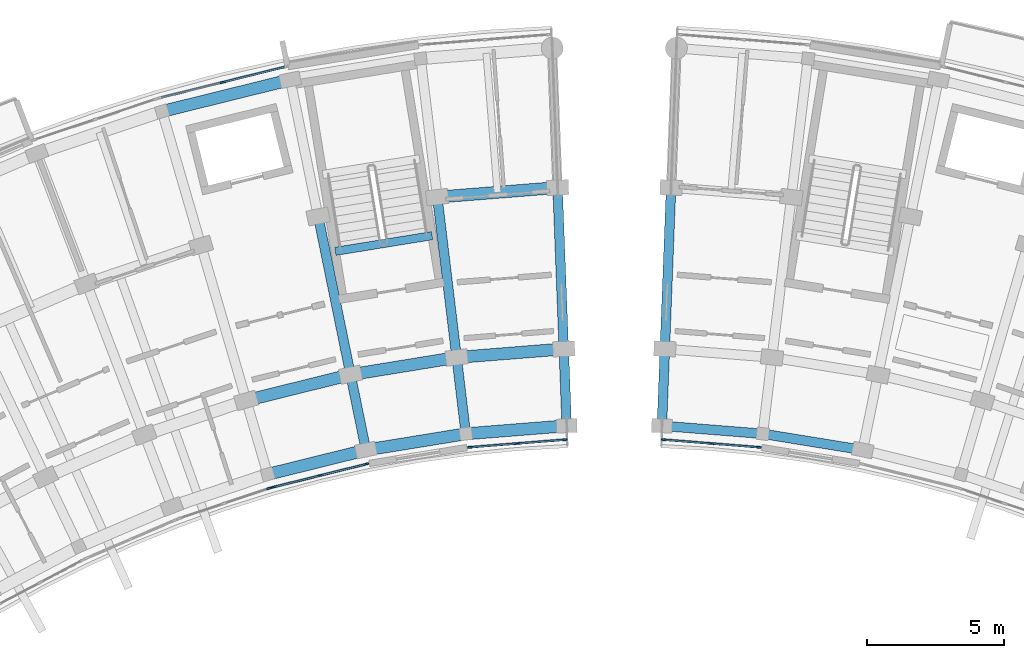
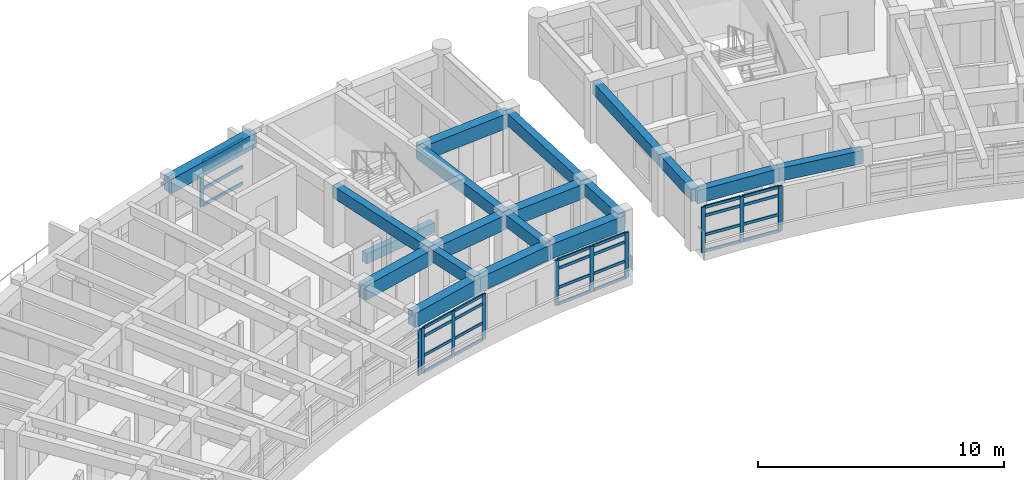
# One storey, part 6 of 54: 40 members, 19 beams, 5 elements without a shape of their own.
"""IFC4 building model written with IfcOpenShell, lengths in metres."""

from ifc_helpers import new_model, si_unit, direction, frame, origin, origin_2d, place, context, subcontext, project, spatial, rectangle, extrude, material, material_profile, profile_set, type_object, element, aggregate, save


model = new_model("IFC4")

# Units and contexts
model_context = context("Model", 3, precision=1e-05, world=origin(), true_north=direction((0.0, 1.0)))
body_context = subcontext(model_context, "Body", "Model", "MODEL_VIEW")
ifc_project = project(units=[si_unit("LENGTHUNIT", "METRE"), si_unit("AREAUNIT", "SQUARE_METRE"), si_unit("VOLUMEUNIT", "CUBIC_METRE"), si_unit("PLANEANGLEUNIT", "RADIAN"), si_unit("MASSUNIT", "GRAM", prefix="KILO")], contexts=[model_context])

# Site, building, storey
site_placement = place(None, origin())
site = spatial("IfcSite", under=ifc_project, at=site_placement, CompositionType="ELEMENT")
building_placement = place(site_placement, origin())
building = spatial("IfcBuilding", under=site, at=building_placement, Name="Zimvara Arc Housing Community", CompositionType="ELEMENT")
storey_placement = place(building_placement, frame((0.0, 0.0, 20.5)))
storey = spatial("IfcBuildingStorey", under=building, at=storey_placement, Name="L06", CompositionType="ELEMENT", Elevation=20.5)

# Beams
ifc_material_1 = material(Name="Concrete C40/50", Category="concrete")
ifc_material_profile_1 = material_profile(ifc_material_1, rectangle(XDim=0.300048828125, YDim=0.5, at=origin_2d()), Name="RC 300x500")
ifc_profile_set_1 = profile_set([ifc_material_profile_1], Name="Concrete C40/50")
beam_type_1 = type_object("IfcBeamType", Name="BM-RC-300x500", PredefinedType="BEAM", material=ifc_profile_set_1)
beam_1_placement = place(storey_placement, frame((38.3662109375, 96.509033203125, -0.25), z_axis=(-0.987080057935, -0.160227835371, 0.0), x_axis=(0.160227835371, -0.987080057935, 0.0)))
element("IfcBeam", 1, at=beam_1_placement, inside=storey, type_object=beam_type_1, Name="bm:stair_trim:ST-A2:L06:near", PredefinedType="BEAM", context=body_context, shape_type="SweptSolid", body=[
    extrude(rectangle(XDim=0.300048828125, YDim=0.5, at=origin_2d()), origin(), (0.0, 0.0, 1.0), 3.570068359375),
])
ifc_material_2 = material(Name="Concrete C40/50", Category="concrete")
ifc_material_profile_2 = material_profile(ifc_material_2, rectangle(XDim=0.35009765625, YDim=0.60009765625, at=origin_2d()), Name="RC 350x600")
ifc_profile_set_2 = profile_set([ifc_material_profile_2], Name="Concrete C40/50")
beam_type_2 = type_object("IfcBeamType", Name="BM-RC-350x600", PredefinedType="BEAM", material=ifc_profile_set_2)
beam_2_placement = place(storey_placement, frame((35.958251953125, 88.704833984375, 2.56005859375), z_axis=(-0.20037341071, 0.979719600845, 0.0), x_axis=(-0.979719600845, -0.20037341071, 0.0)))
element("IfcBeam", 2, at=beam_2_placement, inside=storey, type_object=beam_type_2, Name="bm:blkA:L06:rad:b8:r01", PredefinedType="BEAM", context=body_context, shape_type="SweptSolid", body=[
    extrude(rectangle(XDim=0.35009765625, YDim=0.60009765625, at=origin_2d()), origin(), (0.0, 0.0, 1.0), 2.800048828125),
])
beam_3_placement = place(storey_placement, frame((35.397216796875, 91.447998046875, 2.56005859375), z_axis=(-0.200417973989, 0.979710485655, 0.0), x_axis=(-0.979710485655, -0.200417973989, 0.0)))
element("IfcBeam", 3, at=beam_3_placement, inside=storey, type_object=beam_type_2, Name="bm:blkA:L06:rad:b8:r12", PredefinedType="BEAM", context=body_context, shape_type="SweptSolid", body=[
    extrude(rectangle(XDim=0.35009765625, YDim=0.60009765625, at=origin_2d()), origin(), (0.0, 0.0, 1.0), 5.880126953125),
])
beam_4_placement = place(storey_placement, frame((39.594970703125, 89.295166015625, 2.56005859375), z_axis=(-0.119719398078, 0.992807768767, 0.0), x_axis=(-0.992807768767, -0.119719398078, 0.0)))
element("IfcBeam", 4, at=beam_4_placement, inside=storey, type_object=beam_type_2, Name="bm:blkA:L06:rad:b9:r01", PredefinedType="BEAM", context=body_context, shape_type="SweptSolid", body=[
    extrude(rectangle(XDim=0.35009765625, YDim=0.60009765625, at=origin_2d()), origin(), (0.0, 0.0, 1.0), 2.7998046875),
])
beam_5_placement = place(storey_placement, frame((39.259765625, 92.074951171875, 2.56005859375), z_axis=(-0.119827921695, 0.992794676246, 0.0), x_axis=(-0.992794676246, -0.119827921695, 0.0)))
element("IfcBeam", 5, at=beam_5_placement, inside=storey, type_object=beam_type_2, Name="bm:blkA:L06:rad:b9:r12", PredefinedType="BEAM", context=body_context, shape_type="SweptSolid", body=[
    extrude(rectangle(XDim=0.35009765625, YDim=0.60009765625, at=origin_2d()), origin(), (0.0, 0.0, 1.0), 5.880126953125),
])
beam_6_placement = place(storey_placement, frame((43.267822265625, 89.586669921875, 2.56005859375), z_axis=(-0.038362804793, 0.999263876665, 0.0), x_axis=(-0.999263876665, -0.038362804793, 0.0)))
element("IfcBeam", 6, at=beam_6_placement, inside=storey, type_object=beam_type_2, Name="bm:blkA:L06:rad:b10:r01", PredefinedType="BEAM", context=body_context, shape_type="SweptSolid", body=[
    extrude(rectangle(XDim=0.35009765625, YDim=0.60009765625, at=origin_2d()), origin(), (0.0, 0.0, 1.0), 2.800048828125),
])
beam_7_placement = place(storey_placement, frame((43.160400390625, 92.384765625, 2.56005859375), z_axis=(-0.038366147405, 0.999263748333, 0.0), x_axis=(-0.999263748333, -0.038366147405, 0.0)))
element("IfcBeam", 7, at=beam_7_placement, inside=storey, type_object=beam_type_2, Name="bm:blkA:L06:rad:b10:r12", PredefinedType="BEAM", context=body_context, shape_type="SweptSolid", body=[
    extrude(rectangle(XDim=0.35009765625, YDim=0.60009765625, at=origin_2d()), origin(), (0.0, 0.0, 1.0), 5.8798828125),
])
beam_8_placement = place(storey_placement, frame((46.732177734375, 89.586669921875, 2.56005859375), z_axis=(0.038362804793, 0.999263876665, 0.0), x_axis=(-0.999263876665, 0.038362804793, 0.0)))
element("IfcBeam", 8, at=beam_8_placement, inside=storey, type_object=beam_type_2, Name="bm:blkB:L06:rad:b0:r01", PredefinedType="BEAM", context=body_context, shape_type="SweptSolid", body=[
    extrude(rectangle(XDim=0.35009765625, YDim=0.60009765625, at=origin_2d()), origin(), (0.0, 0.0, 1.0), 2.800048828125),
])
beam_9_placement = place(storey_placement, frame((46.839599609375, 92.384765625, 2.56005859375), z_axis=(0.038366147405, 0.999263748333, 0.0), x_axis=(-0.999263748333, 0.038366147405, 0.0)))
element("IfcBeam", 9, at=beam_9_placement, inside=storey, type_object=beam_type_2, Name="bm:blkB:L06:rad:b0:r12", PredefinedType="BEAM", context=body_context, shape_type="SweptSolid", body=[
    extrude(rectangle(XDim=0.35009765625, YDim=0.60009765625, at=origin_2d()), origin(), (0.0, 0.0, 1.0), 5.8798828125),
])
ifc_material_3 = material(Name="Concrete C40/50", Category="concrete")
ifc_material_profile_3 = material_profile(ifc_material_3, rectangle(XDim=0.35009765625, YDim=0.64990234375, at=origin_2d()), Name="RC 350x650")
ifc_profile_set_3 = profile_set([ifc_material_profile_3], Name="Concrete C40/50")
beam_type_3 = type_object("IfcBeamType", Name="BM-RC-350x650", PredefinedType="BEAM", material=ifc_profile_set_3)
for number, where, z_axis, x_axis, name in (
    (10, (46.732177734375, 89.586669921875, 2.534912109375), (0.996865226667, -0.079118391428, 0.0), (0.079118391428, 0.996865226667, 0.0), "bm:blkB:L06:chord:r0:b0"),
    (11, (50.405029296875, 89.295166015625, 2.534912109375), (0.987079996944, -0.160228211104, 0.0), (0.160228211104, 0.987079996944, 0.0), "bm:blkB:L06:chord:r0:b1"),
):
    element("IfcBeam", number, at=place(storey_placement, frame(where, z_axis=z_axis, x_axis=x_axis)), inside=storey, type_object=beam_type_3, Name=name, PredefinedType="BEAM", context=body_context, shape_type="SweptSolid", body=[
        extrude(rectangle(XDim=0.35009765625, YDim=0.64990234375, at=origin_2d()), origin(), (0.0, 0.0, 1.0), 3.684326171875),
    ])
ifc_material_4 = material(Name="Concrete C40/50", Category="concrete")
ifc_material_profile_4 = material_profile(ifc_material_4, rectangle(XDim=0.43994140625, YDim=0.719970703125, at=origin_2d()), Name="RC 440x720")
ifc_profile_set_4 = profile_set([ifc_material_profile_4], Name="Concrete C40/50")
beam_type_4 = type_object("IfcBeamType", Name="BM-RC-440x720", PredefinedType="BEAM", material=ifc_profile_set_4)
beam_10_placement = place(storey_placement, frame((32.381591796875, 87.819580078125, 2.5), z_axis=(0.970708886215, 0.240258731837, 0.0), x_axis=(-0.240258731837, 0.970708886215, 0.0)))
element("IfcBeam", 12, at=beam_10_placement, inside=storey, type_object=beam_type_4, Name="bm:blkA:L06:chord:r0:b7", PredefinedType="BEAM", context=body_context, shape_type="SweptSolid", body=[
    extrude(rectangle(XDim=0.43994140625, YDim=0.719970703125, at=origin_2d()), origin(), (0.0, 0.0, 1.0), 3.6845703125),
])
for number, where, z_axis, x_axis, name in (
    (13, (35.958251953125, 88.704833984375, 2.5), (0.987079996944, 0.160228211104, 0.0), (-0.160228211104, 0.987079996944, 0.0), "bm:blkA:L06:chord:r0:b8"),
    (14, (39.594970703125, 89.295166015625, 2.5), (0.996865226667, 0.079118391428, 0.0), (-0.079118391428, 0.996865226667, 0.0), "bm:blkA:L06:chord:r0:b9"),
):
    element("IfcBeam", number, at=place(storey_placement, frame(where, z_axis=z_axis, x_axis=x_axis)), inside=storey, type_object=beam_type_4, Name=name, PredefinedType="BEAM", context=body_context, shape_type="SweptSolid", body=[
        extrude(rectangle(XDim=0.43994140625, YDim=0.719970703125, at=origin_2d()), origin(), (0.0, 0.0, 1.0), 3.684326171875),
    ])
for number, where, z_axis, x_axis, name in (
    (15, (31.5986328125, 90.5078125, 2.5), (0.970708671682, 0.240259598602, 0.0), (-0.240259598602, 0.970708671682, 0.0), "bm:blkA:L06:chord:r1:b7"),
    (16, (35.397216796875, 91.447998046875, 2.5), (0.987081487371, 0.160219029111, 0.0), (-0.160219029111, 0.987081487371, 0.0), "bm:blkA:L06:chord:r1:b8"),
):
    element("IfcBeam", number, at=place(storey_placement, frame(where, z_axis=z_axis, x_axis=x_axis)), inside=storey, type_object=beam_type_4, Name=name, PredefinedType="BEAM", context=body_context, shape_type="SweptSolid", body=[
        extrude(rectangle(XDim=0.43994140625, YDim=0.719970703125, at=origin_2d()), origin(), (0.0, 0.0, 1.0), 3.9130859375),
    ])
beam_11_placement = place(storey_placement, frame((39.259765625, 92.074951171875, 2.5), z_axis=(0.99686054795, 0.079177319606, 0.0), x_axis=(-0.079177319606, 0.99686054795, 0.0)))
element("IfcBeam", 17, at=beam_11_placement, inside=storey, type_object=beam_type_4, Name="bm:blkA:L06:chord:r1:b9", PredefinedType="BEAM", context=body_context, shape_type="SweptSolid", body=[
    extrude(rectangle(XDim=0.43994140625, YDim=0.719970703125, at=origin_2d()), origin(), (0.0, 0.0, 1.0), 3.912841796875),
])
beam_12_placement = place(storey_placement, frame((38.55517578125, 97.91259765625, 2.5), z_axis=(0.996864209836, 0.079131202119, 0.0), x_axis=(-0.079131202119, 0.996864209836, 0.0)))
element("IfcBeam", 18, at=beam_12_placement, inside=storey, type_object=beam_type_4, Name="bm:blkA:L06:chord:r2:b9", PredefinedType="BEAM", context=body_context, shape_type="SweptSolid", body=[
    extrude(rectangle(XDim=0.43994140625, YDim=0.719970703125, at=origin_2d()), origin(), (0.0, 0.0, 1.0), 4.393310546875),
])
beam_13_placement = place(storey_placement, frame((28.533447265625, 101.030517578125, 2.5), z_axis=(0.970716235341, 0.240229037474, 0.0), x_axis=(-0.240229037474, 0.970716235341, 0.0)))
element("IfcBeam", 19, at=beam_13_placement, inside=storey, type_object=beam_type_4, Name="bm:blkA:L06:chord:r3:b7", PredefinedType="BEAM", context=body_context, shape_type="SweptSolid", body=[
    extrude(rectangle(XDim=0.43994140625, YDim=0.719970703125, at=origin_2d()), origin(), (0.0, 0.0, 1.0), 4.80810546875),
])

# Curtain wall, member
ifc_material_5 = material(Name="Anodised Aluminium AW-6063", Category="aluminium")
curtain_wall_type_1 = type_object("IfcCurtainWallType", Name="CW-SYS-02", PredefinedType="USERDEFINED", material=ifc_material_5)
curtain_wall_1_placement = place(storey_placement, origin())
curtain_wall_1 = element("IfcCurtainWall", 20, at=curtain_wall_1_placement, inside=storey, type_object=curtain_wall_type_1, Name="cw:blkA:L06:in:b6", ObjectType="CURTAIN WALL", PredefinedType="USERDEFINED")
ifc_material_6 = material(Name="Anodised Aluminium AW-6063", Category="aluminium")
ifc_material_profile_5 = material_profile(ifc_material_6, rectangle(XDim=0.06494140625, YDim=0.179931640625, at=origin_2d()), Name="ALU 65x180")
ifc_profile_set_5 = profile_set([ifc_material_profile_5], Name="Anodised Aluminium AW-6063")
member_type_1 = type_object("IfcMemberType", Name="CWM-65x150", PredefinedType="MULLION", material=ifc_profile_set_5)
member_1_placement = place(storey_placement, frame((32.433837890625, 87.31005859375, 0.0), z_axis=(0.0, 0.0, 1.0), x_axis=(-0.318630249383, 0.94787908732, 0.0)))
member_1 = element("IfcMember", 21, at=member_1_placement, type_object=member_type_1, Name="CW02 mullion 3", PredefinedType="MULLION", context=body_context, shape_type="SweptSolid", body=[
    extrude(rectangle(XDim=0.06494140625, YDim=0.179931640625, at=origin_2d()), origin(), (0.0, 0.0, 1.0), 2.25),
])
aggregate(curtain_wall_1, [member_1])

# Curtain wall, members
ifc_material_7 = material(Name="Anodised Aluminium AW-6063", Category="aluminium")
curtain_wall_type_2 = type_object("IfcCurtainWallType", Name="CW-SYS-04", PredefinedType="USERDEFINED", material=ifc_material_7)
curtain_wall_2_placement = place(storey_placement, origin())
curtain_wall_2 = element("IfcCurtainWall", 22, at=curtain_wall_2_placement, inside=storey, type_object=curtain_wall_type_2, Name="cw:blkA:L06:in:b7", ObjectType="CURTAIN WALL", PredefinedType="USERDEFINED")
member_2_placement = place(storey_placement, frame((32.611328125, 87.36181640625, 0.0), z_axis=(0.0, 0.0, 1.0), x_axis=(-0.240227815706, 0.970716537698, 0.0)))
member_2 = element("IfcMember", 23, at=member_2_placement, type_object=member_type_1, Name="CW04 mullion 1", PredefinedType="MULLION", context=body_context, shape_type="SweptSolid", body=[
    extrude(rectangle(XDim=0.06494140625, YDim=0.179931640625, at=origin_2d()), origin(), (0.0, 0.0, 1.0), 2.25),
])
member_3_placement = place(storey_placement, frame((34.2900390625, 87.77734375, 0.0), z_axis=(0.0, 0.0, 1.0), x_axis=(-0.240227815706, 0.970716537698, 0.0)))
member_3 = element("IfcMember", 24, at=member_3_placement, type_object=member_type_1, Name="CW04 mullion 2", PredefinedType="MULLION", context=body_context, shape_type="SweptSolid", body=[
    extrude(rectangle(XDim=0.06494140625, YDim=0.179931640625, at=origin_2d()), origin(), (0.0, 0.0, 1.0), 2.25),
])
member_4_placement = place(storey_placement, frame((35.96875, 88.192626953125, 0.0), z_axis=(0.0, 0.0, 1.0), x_axis=(-0.240227815706, 0.970716537698, 0.0)))
member_4 = element("IfcMember", 25, at=member_4_placement, type_object=member_type_1, Name="CW04 mullion 3", PredefinedType="MULLION", context=body_context, shape_type="SweptSolid", body=[
    extrude(rectangle(XDim=0.06494140625, YDim=0.179931640625, at=origin_2d()), origin(), (0.0, 0.0, 1.0), 2.25),
])

ifc_material_8 = material(Name="Anodised Aluminium AW-6063", Category="aluminium")
curtain_wall_type_3 = type_object("IfcCurtainWallType", Name="CW-SYS-06", PredefinedType="USERDEFINED", material=ifc_material_8)
curtain_wall_3_placement = place(storey_placement, origin())
curtain_wall_3 = element("IfcCurtainWall", 26, at=curtain_wall_3_placement, inside=storey, type_object=curtain_wall_type_3, Name="cw:blkA:L06:in:b9", ObjectType="CURTAIN WALL", PredefinedType="USERDEFINED")
member_5_placement = place(storey_placement, frame((39.7470703125, 88.805908203125, 0.0), z_axis=(0.0, 0.0, 1.0), x_axis=(-0.079154709897, 0.996862343506, 0.0)))
member_5 = element("IfcMember", 27, at=member_5_placement, type_object=member_type_1, Name="CW06 mullion 1", PredefinedType="MULLION", context=body_context, shape_type="SweptSolid", body=[
    extrude(rectangle(XDim=0.06494140625, YDim=0.179931640625, at=origin_2d()), origin(), (0.0, 0.0, 1.0), 2.25),
])
member_6_placement = place(storey_placement, frame((41.470947265625, 88.94287109375, 0.0), z_axis=(0.0, 0.0, 1.0), x_axis=(-0.079154709897, 0.996862343506, 0.0)))
member_6 = element("IfcMember", 28, at=member_6_placement, type_object=member_type_1, Name="CW06 mullion 2", PredefinedType="MULLION", context=body_context, shape_type="SweptSolid", body=[
    extrude(rectangle(XDim=0.06494140625, YDim=0.179931640625, at=origin_2d()), origin(), (0.0, 0.0, 1.0), 2.25),
])
member_7_placement = place(storey_placement, frame((43.19482421875, 89.079833984375, 0.0), z_axis=(0.0, 0.0, 1.0), x_axis=(-0.079154709897, 0.996862343506, 0.0)))
member_7 = element("IfcMember", 29, at=member_7_placement, type_object=member_type_1, Name="CW06 mullion 3", PredefinedType="MULLION", context=body_context, shape_type="SweptSolid", body=[
    extrude(rectangle(XDim=0.06494140625, YDim=0.179931640625, at=origin_2d()), origin(), (0.0, 0.0, 1.0), 2.25),
])

curtain_wall_4_placement = place(storey_placement, origin())
curtain_wall_4 = element("IfcCurtainWall", 30, at=curtain_wall_4_placement, inside=storey, type_object=curtain_wall_type_1, Name="cw:blkB:L06:in:b0", ObjectType="CURTAIN WALL", PredefinedType="USERDEFINED")
member_8_placement = place(storey_placement, frame((46.80517578125, 89.079833984375, 0.0), z_axis=(0.0, 0.0, 1.0), x_axis=(0.079154709897, 0.996862343506, 0.0)))
member_8 = element("IfcMember", 31, at=member_8_placement, type_object=member_type_1, Name="CW02 mullion 1", PredefinedType="MULLION", context=body_context, shape_type="SweptSolid", body=[
    extrude(rectangle(XDim=0.06494140625, YDim=0.179931640625, at=origin_2d()), origin(), (0.0, 0.0, 1.0), 2.25),
])
member_9_placement = place(storey_placement, frame((48.529052734375, 88.94287109375, 0.0), z_axis=(0.0, 0.0, 1.0), x_axis=(0.079154709897, 0.996862343506, 0.0)))
member_9 = element("IfcMember", 32, at=member_9_placement, type_object=member_type_1, Name="CW02 mullion 2", PredefinedType="MULLION", context=body_context, shape_type="SweptSolid", body=[
    extrude(rectangle(XDim=0.06494140625, YDim=0.179931640625, at=origin_2d()), origin(), (0.0, 0.0, 1.0), 2.25),
])
member_10_placement = place(storey_placement, frame((50.2529296875, 88.805908203125, 0.0), z_axis=(0.0, 0.0, 1.0), x_axis=(0.079154709897, 0.996862343506, 0.0)))
member_10 = element("IfcMember", 33, at=member_10_placement, type_object=member_type_1, Name="CW02 mullion 3", PredefinedType="MULLION", context=body_context, shape_type="SweptSolid", body=[
    extrude(rectangle(XDim=0.06494140625, YDim=0.179931640625, at=origin_2d()), origin(), (0.0, 0.0, 1.0), 2.25),
])

# Curtain wall, member
ifc_material_9 = material(Name="Anodised Aluminium AW-6063", Category="aluminium")
curtain_wall_type_4 = type_object("IfcCurtainWallType", Name="CW-SYS-03", PredefinedType="USERDEFINED", material=ifc_material_9)
curtain_wall_5_placement = place(storey_placement, origin())
curtain_wall_5 = element("IfcCurtainWall", 34, at=curtain_wall_5_placement, inside=storey, type_object=curtain_wall_type_4, Name="cw:blkA:L06:out:b7", ObjectType="CURTAIN WALL", PredefinedType="USERDEFINED")
ifc_material_10 = material(Name="Anodised Aluminium AW-6063", Category="aluminium")
ifc_material_profile_6 = material_profile(ifc_material_10, rectangle(XDim=0.06494140625, YDim=0.195068359375, at=origin_2d()), Name="ALU 65x195")
ifc_profile_set_6 = profile_set([ifc_material_profile_6], Name="Anodised Aluminium AW-6063")
member_type_2 = type_object("IfcMemberType", Name="CWM-65x180", PredefinedType="MULLION", material=ifc_profile_set_6)
member_11_placement = place(storey_placement, frame((30.7470703125, 102.093017578125, 0.0), z_axis=(0.0, 0.0, 1.0), x_axis=(-0.240229711131, 0.970716068627, 0.0)))
member_11 = element("IfcMember", 35, at=member_11_placement, type_object=member_type_2, Name="CW03 mullion 2", PredefinedType="MULLION", context=body_context, shape_type="SweptSolid", body=[
    extrude(rectangle(XDim=0.06494140625, YDim=0.195068359375, at=origin_2d()), origin(), (0.0, 0.0, 1.0), 2.25),
])

# Member
ifc_material_11 = material(Name="Anodised Aluminium AW-6063", Category="aluminium")
ifc_material_profile_7 = material_profile(ifc_material_11, rectangle(XDim=0.06494140625, YDim=0.139892578125, at=origin_2d()), Name="ALU 65x140")
ifc_profile_set_7 = profile_set([ifc_material_profile_7], Name="Anodised Aluminium AW-6063")
member_type_3 = type_object("IfcMemberType", Name="CWT-65x120", PredefinedType="USERDEFINED", material=ifc_profile_set_7)
member_12_placement = place(storey_placement, frame((32.642822265625, 87.36962890625, 0.032470703125), z_axis=(0.970700809973, 0.24029135964, 0.0), x_axis=(-0.24029135964, 0.970700809973, 0.0)))
member_12 = element("IfcMember", 36, at=member_12_placement, type_object=member_type_3, Name="CW04 transom 1.1", ObjectType="TRANSOM", PredefinedType="USERDEFINED", context=body_context, shape_type="SweptSolid", body=[
    extrude(rectangle(XDim=0.06494140625, YDim=0.139892578125, at=origin_2d()), origin(), (0.0, 0.0, 1.0), 1.664306640625),
])

member_13_placement = place(storey_placement, frame((32.642822265625, 87.36962890625, 0.85009765625), z_axis=(0.970700809973, 0.24029135964, 0.0), x_axis=(-0.24029135964, 0.970700809973, 0.0)))
member_13 = element("IfcMember", 37, at=member_13_placement, type_object=member_type_3, Name="CW04 transom 1.2", ObjectType="TRANSOM", PredefinedType="USERDEFINED", context=body_context, shape_type="SweptSolid", body=[
    extrude(rectangle(XDim=0.06494140625, YDim=0.139892578125, at=origin_2d()), origin(), (0.0, 0.0, 1.0), 1.664306640625),
])

member_14_placement = place(storey_placement, frame((32.642822265625, 87.36962890625, 1.800048828125), z_axis=(0.970700809973, 0.24029135964, 0.0), x_axis=(-0.24029135964, 0.970700809973, 0.0)))
member_14 = element("IfcMember", 38, at=member_14_placement, type_object=member_type_3, Name="CW04 transom 1.3", ObjectType="TRANSOM", PredefinedType="USERDEFINED", context=body_context, shape_type="SweptSolid", body=[
    extrude(rectangle(XDim=0.06494140625, YDim=0.139892578125, at=origin_2d()), origin(), (0.0, 0.0, 1.0), 1.664306640625),
])

member_15_placement = place(storey_placement, frame((32.642822265625, 87.36962890625, 2.217529296875), z_axis=(0.970700809973, 0.24029135964, 0.0), x_axis=(-0.24029135964, 0.970700809973, 0.0)))
member_15 = element("IfcMember", 39, at=member_15_placement, type_object=member_type_3, Name="CW04 transom 1.4", ObjectType="TRANSOM", PredefinedType="USERDEFINED", context=body_context, shape_type="SweptSolid", body=[
    extrude(rectangle(XDim=0.06494140625, YDim=0.139892578125, at=origin_2d()), origin(), (0.0, 0.0, 1.0), 1.664306640625),
])

member_16_placement = place(storey_placement, frame((34.321533203125, 87.78515625, 0.032470703125), z_axis=(0.970735018799, 0.240153124645, 0.0), x_axis=(-0.240153124645, 0.970735018799, 0.0)))
member_16 = element("IfcMember", 40, at=member_16_placement, type_object=member_type_3, Name="CW04 transom 2.1", ObjectType="TRANSOM", PredefinedType="USERDEFINED", context=body_context, shape_type="SweptSolid", body=[
    extrude(rectangle(XDim=0.06494140625, YDim=0.139892578125, at=origin_2d()), origin(), (0.0, 0.0, 1.0), 1.6640625),
])

member_17_placement = place(storey_placement, frame((34.321533203125, 87.78515625, 0.85009765625), z_axis=(0.970735018799, 0.240153124645, 0.0), x_axis=(-0.240153124645, 0.970735018799, 0.0)))
member_17 = element("IfcMember", 41, at=member_17_placement, type_object=member_type_3, Name="CW04 transom 2.2", ObjectType="TRANSOM", PredefinedType="USERDEFINED", context=body_context, shape_type="SweptSolid", body=[
    extrude(rectangle(XDim=0.06494140625, YDim=0.139892578125, at=origin_2d()), origin(), (0.0, 0.0, 1.0), 1.6640625),
])

member_18_placement = place(storey_placement, frame((34.321533203125, 87.78515625, 1.800048828125), z_axis=(0.970735018799, 0.240153124645, 0.0), x_axis=(-0.240153124645, 0.970735018799, 0.0)))
member_18 = element("IfcMember", 42, at=member_18_placement, type_object=member_type_3, Name="CW04 transom 2.3", ObjectType="TRANSOM", PredefinedType="USERDEFINED", context=body_context, shape_type="SweptSolid", body=[
    extrude(rectangle(XDim=0.06494140625, YDim=0.139892578125, at=origin_2d()), origin(), (0.0, 0.0, 1.0), 1.6640625),
])

member_19_placement = place(storey_placement, frame((34.321533203125, 87.78515625, 2.217529296875), z_axis=(0.970735018799, 0.240153124645, 0.0), x_axis=(-0.240153124645, 0.970735018799, 0.0)))
member_19 = element("IfcMember", 43, at=member_19_placement, type_object=member_type_3, Name="CW04 transom 2.4", ObjectType="TRANSOM", PredefinedType="USERDEFINED", context=body_context, shape_type="SweptSolid", body=[
    extrude(rectangle(XDim=0.06494140625, YDim=0.139892578125, at=origin_2d()), origin(), (0.0, 0.0, 1.0), 1.6640625),
])

aggregate(curtain_wall_2, [member_2, member_3, member_4, member_12, member_13, member_14, member_15, member_16, member_17, member_18, member_19])

member_20_placement = place(storey_placement, frame((39.779541015625, 88.80859375, 0.032470703125), z_axis=(0.99685804311, 0.079208849806, 0.0), x_axis=(-0.079208849806, 0.99685804311, 0.0)))
member_20 = element("IfcMember", 44, at=member_20_placement, type_object=member_type_3, Name="CW06 transom 1.1", ObjectType="TRANSOM", PredefinedType="USERDEFINED", context=body_context, shape_type="SweptSolid", body=[
    extrude(rectangle(XDim=0.06494140625, YDim=0.139892578125, at=origin_2d()), origin(), (0.0, 0.0, 1.0), 1.664306640625),
])

member_21_placement = place(storey_placement, frame((39.779541015625, 88.80859375, 0.85009765625), z_axis=(0.99685804311, 0.079208849806, 0.0), x_axis=(-0.079208849806, 0.99685804311, 0.0)))
member_21 = element("IfcMember", 45, at=member_21_placement, type_object=member_type_3, Name="CW06 transom 1.2", ObjectType="TRANSOM", PredefinedType="USERDEFINED", context=body_context, shape_type="SweptSolid", body=[
    extrude(rectangle(XDim=0.06494140625, YDim=0.139892578125, at=origin_2d()), origin(), (0.0, 0.0, 1.0), 1.664306640625),
])

member_22_placement = place(storey_placement, frame((39.779541015625, 88.80859375, 1.800048828125), z_axis=(0.99685804311, 0.079208849806, 0.0), x_axis=(-0.079208849806, 0.99685804311, 0.0)))
member_22 = element("IfcMember", 46, at=member_22_placement, type_object=member_type_3, Name="CW06 transom 1.3", ObjectType="TRANSOM", PredefinedType="USERDEFINED", context=body_context, shape_type="SweptSolid", body=[
    extrude(rectangle(XDim=0.06494140625, YDim=0.139892578125, at=origin_2d()), origin(), (0.0, 0.0, 1.0), 1.664306640625),
])

member_23_placement = place(storey_placement, frame((39.779541015625, 88.80859375, 2.217529296875), z_axis=(0.99685804311, 0.079208849806, 0.0), x_axis=(-0.079208849806, 0.99685804311, 0.0)))
member_23 = element("IfcMember", 47, at=member_23_placement, type_object=member_type_3, Name="CW06 transom 1.4", ObjectType="TRANSOM", PredefinedType="USERDEFINED", context=body_context, shape_type="SweptSolid", body=[
    extrude(rectangle(XDim=0.06494140625, YDim=0.139892578125, at=origin_2d()), origin(), (0.0, 0.0, 1.0), 1.664306640625),
])

member_24_placement = place(storey_placement, frame((41.50341796875, 88.945556640625, 0.032470703125), z_axis=(0.996869614678, 0.079063084507, 0.0), x_axis=(-0.079063084507, 0.996869614678, 0.0)))
member_24 = element("IfcMember", 48, at=member_24_placement, type_object=member_type_3, Name="CW06 transom 2.1", ObjectType="TRANSOM", PredefinedType="USERDEFINED", context=body_context, shape_type="SweptSolid", body=[
    extrude(rectangle(XDim=0.06494140625, YDim=0.139892578125, at=origin_2d()), origin(), (0.0, 0.0, 1.0), 1.664306640625),
])

member_25_placement = place(storey_placement, frame((41.50341796875, 88.945556640625, 0.85009765625), z_axis=(0.996869614678, 0.079063084507, 0.0), x_axis=(-0.079063084507, 0.996869614678, 0.0)))
member_25 = element("IfcMember", 49, at=member_25_placement, type_object=member_type_3, Name="CW06 transom 2.2", ObjectType="TRANSOM", PredefinedType="USERDEFINED", context=body_context, shape_type="SweptSolid", body=[
    extrude(rectangle(XDim=0.06494140625, YDim=0.139892578125, at=origin_2d()), origin(), (0.0, 0.0, 1.0), 1.664306640625),
])

member_26_placement = place(storey_placement, frame((41.50341796875, 88.945556640625, 1.800048828125), z_axis=(0.996869614678, 0.079063084507, 0.0), x_axis=(-0.079063084507, 0.996869614678, 0.0)))
member_26 = element("IfcMember", 50, at=member_26_placement, type_object=member_type_3, Name="CW06 transom 2.3", ObjectType="TRANSOM", PredefinedType="USERDEFINED", context=body_context, shape_type="SweptSolid", body=[
    extrude(rectangle(XDim=0.06494140625, YDim=0.139892578125, at=origin_2d()), origin(), (0.0, 0.0, 1.0), 1.664306640625),
])

member_27_placement = place(storey_placement, frame((41.50341796875, 88.945556640625, 2.217529296875), z_axis=(0.996869614678, 0.079063084507, 0.0), x_axis=(-0.079063084507, 0.996869614678, 0.0)))
member_27 = element("IfcMember", 51, at=member_27_placement, type_object=member_type_3, Name="CW06 transom 2.4", ObjectType="TRANSOM", PredefinedType="USERDEFINED", context=body_context, shape_type="SweptSolid", body=[
    extrude(rectangle(XDim=0.06494140625, YDim=0.139892578125, at=origin_2d()), origin(), (0.0, 0.0, 1.0), 1.664306640625),
])

aggregate(curtain_wall_3, [member_5, member_6, member_7, member_20, member_21, member_22, member_23, member_24, member_25, member_26, member_27])

member_28_placement = place(storey_placement, frame((46.83740234375, 89.0771484375, 0.032470703125), z_axis=(0.996869614678, -0.079063084507, 0.0), x_axis=(0.079063084507, 0.996869614678, 0.0)))
member_28 = element("IfcMember", 52, at=member_28_placement, type_object=member_type_3, Name="CW02 transom 1.1", ObjectType="TRANSOM", PredefinedType="USERDEFINED", context=body_context, shape_type="SweptSolid", body=[
    extrude(rectangle(XDim=0.06494140625, YDim=0.139892578125, at=origin_2d()), origin(), (0.0, 0.0, 1.0), 1.664306640625),
])

member_29_placement = place(storey_placement, frame((46.83740234375, 89.0771484375, 0.85009765625), z_axis=(0.996869614678, -0.079063084507, 0.0), x_axis=(0.079063084507, 0.996869614678, 0.0)))
member_29 = element("IfcMember", 53, at=member_29_placement, type_object=member_type_3, Name="CW02 transom 1.2", ObjectType="TRANSOM", PredefinedType="USERDEFINED", context=body_context, shape_type="SweptSolid", body=[
    extrude(rectangle(XDim=0.06494140625, YDim=0.139892578125, at=origin_2d()), origin(), (0.0, 0.0, 1.0), 1.664306640625),
])

member_30_placement = place(storey_placement, frame((46.83740234375, 89.0771484375, 1.800048828125), z_axis=(0.996869614678, -0.079063084507, 0.0), x_axis=(0.079063084507, 0.996869614678, 0.0)))
member_30 = element("IfcMember", 54, at=member_30_placement, type_object=member_type_3, Name="CW02 transom 1.3", ObjectType="TRANSOM", PredefinedType="USERDEFINED", context=body_context, shape_type="SweptSolid", body=[
    extrude(rectangle(XDim=0.06494140625, YDim=0.139892578125, at=origin_2d()), origin(), (0.0, 0.0, 1.0), 1.664306640625),
])

member_31_placement = place(storey_placement, frame((46.83740234375, 89.0771484375, 2.217529296875), z_axis=(0.996869614678, -0.079063084507, 0.0), x_axis=(0.079063084507, 0.996869614678, 0.0)))
member_31 = element("IfcMember", 55, at=member_31_placement, type_object=member_type_3, Name="CW02 transom 1.4", ObjectType="TRANSOM", PredefinedType="USERDEFINED", context=body_context, shape_type="SweptSolid", body=[
    extrude(rectangle(XDim=0.06494140625, YDim=0.139892578125, at=origin_2d()), origin(), (0.0, 0.0, 1.0), 1.664306640625),
])

member_32_placement = place(storey_placement, frame((48.561279296875, 88.9404296875, 0.032470703125), z_axis=(0.99685804311, -0.079208849806, 0.0), x_axis=(0.079208849806, 0.99685804311, 0.0)))
member_32 = element("IfcMember", 56, at=member_32_placement, type_object=member_type_3, Name="CW02 transom 2.1", ObjectType="TRANSOM", PredefinedType="USERDEFINED", context=body_context, shape_type="SweptSolid", body=[
    extrude(rectangle(XDim=0.06494140625, YDim=0.139892578125, at=origin_2d()), origin(), (0.0, 0.0, 1.0), 1.664306640625),
])

member_33_placement = place(storey_placement, frame((48.561279296875, 88.9404296875, 0.85009765625), z_axis=(0.99685804311, -0.079208849806, 0.0), x_axis=(0.079208849806, 0.99685804311, 0.0)))
member_33 = element("IfcMember", 57, at=member_33_placement, type_object=member_type_3, Name="CW02 transom 2.2", ObjectType="TRANSOM", PredefinedType="USERDEFINED", context=body_context, shape_type="SweptSolid", body=[
    extrude(rectangle(XDim=0.06494140625, YDim=0.139892578125, at=origin_2d()), origin(), (0.0, 0.0, 1.0), 1.664306640625),
])

member_34_placement = place(storey_placement, frame((48.561279296875, 88.9404296875, 1.800048828125), z_axis=(0.99685804311, -0.079208849806, 0.0), x_axis=(0.079208849806, 0.99685804311, 0.0)))
member_34 = element("IfcMember", 58, at=member_34_placement, type_object=member_type_3, Name="CW02 transom 2.3", ObjectType="TRANSOM", PredefinedType="USERDEFINED", context=body_context, shape_type="SweptSolid", body=[
    extrude(rectangle(XDim=0.06494140625, YDim=0.139892578125, at=origin_2d()), origin(), (0.0, 0.0, 1.0), 1.664306640625),
])

member_35_placement = place(storey_placement, frame((48.561279296875, 88.9404296875, 2.217529296875), z_axis=(0.99685804311, -0.079208849806, 0.0), x_axis=(0.079208849806, 0.99685804311, 0.0)))
member_35 = element("IfcMember", 59, at=member_35_placement, type_object=member_type_3, Name="CW02 transom 2.4", ObjectType="TRANSOM", PredefinedType="USERDEFINED", context=body_context, shape_type="SweptSolid", body=[
    extrude(rectangle(XDim=0.06494140625, YDim=0.139892578125, at=origin_2d()), origin(), (0.0, 0.0, 1.0), 1.664306640625),
])

aggregate(curtain_wall_4, [member_8, member_9, member_10, member_28, member_29, member_30, member_31, member_32, member_33, member_34, member_35])

ifc_material_12 = material(Name="Anodised Aluminium AW-6063", Category="aluminium")
ifc_material_profile_8 = material_profile(ifc_material_12, rectangle(XDim=0.06494140625, YDim=0.155029296875, at=origin_2d()), Name="ALU 65x155")
ifc_profile_set_8 = profile_set([ifc_material_profile_8], Name="Anodised Aluminium AW-6063")
member_type_4 = type_object("IfcMemberType", Name="CWT-65x140", PredefinedType="USERDEFINED", material=ifc_profile_set_8)
member_36_placement = place(storey_placement, frame((28.51513671875, 101.540771484375, 2.217529296875), z_axis=(0.970728837212, 0.240178110172, 0.0), x_axis=(-0.240178110172, 0.970728837212, 0.0)))
member_36 = element("IfcMember", 60, at=member_36_placement, type_object=member_type_4, Name="CW03 transom 1.4", ObjectType="TRANSOM", PredefinedType="USERDEFINED", context=body_context, shape_type="SweptSolid", body=[
    extrude(rectangle(XDim=0.06494140625, YDim=0.155029296875, at=origin_2d()), origin(), (0.0, 0.0, 1.0), 2.266845703125),
])

member_37_placement = place(storey_placement, frame((30.77880859375, 102.100830078125, 0.032470703125), z_axis=(0.970703721793, 0.240279596507, 0.0), x_axis=(-0.240279596507, 0.970703721793, 0.0)))
member_37 = element("IfcMember", 61, at=member_37_placement, type_object=member_type_4, Name="CW03 transom 2.1", ObjectType="TRANSOM", PredefinedType="USERDEFINED", context=body_context, shape_type="SweptSolid", body=[
    extrude(rectangle(XDim=0.06494140625, YDim=0.155029296875, at=origin_2d()), origin(), (0.0, 0.0, 1.0), 2.266845703125),
])

member_38_placement = place(storey_placement, frame((30.77880859375, 102.100830078125, 0.85009765625), z_axis=(0.970703721793, 0.240279596507, 0.0), x_axis=(-0.240279596507, 0.970703721793, 0.0)))
member_38 = element("IfcMember", 62, at=member_38_placement, type_object=member_type_4, Name="CW03 transom 2.2", ObjectType="TRANSOM", PredefinedType="USERDEFINED", context=body_context, shape_type="SweptSolid", body=[
    extrude(rectangle(XDim=0.06494140625, YDim=0.155029296875, at=origin_2d()), origin(), (0.0, 0.0, 1.0), 2.266845703125),
])

member_39_placement = place(storey_placement, frame((30.77880859375, 102.100830078125, 1.800048828125), z_axis=(0.970703721793, 0.240279596507, 0.0), x_axis=(-0.240279596507, 0.970703721793, 0.0)))
member_39 = element("IfcMember", 63, at=member_39_placement, type_object=member_type_4, Name="CW03 transom 2.3", ObjectType="TRANSOM", PredefinedType="USERDEFINED", context=body_context, shape_type="SweptSolid", body=[
    extrude(rectangle(XDim=0.06494140625, YDim=0.155029296875, at=origin_2d()), origin(), (0.0, 0.0, 1.0), 2.266845703125),
])

member_40_placement = place(storey_placement, frame((30.77880859375, 102.100830078125, 2.217529296875), z_axis=(0.970703721793, 0.240279596507, 0.0), x_axis=(-0.240279596507, 0.970703721793, 0.0)))
member_40 = element("IfcMember", 64, at=member_40_placement, type_object=member_type_4, Name="CW03 transom 2.4", ObjectType="TRANSOM", PredefinedType="USERDEFINED", context=body_context, shape_type="SweptSolid", body=[
    extrude(rectangle(XDim=0.06494140625, YDim=0.155029296875, at=origin_2d()), origin(), (0.0, 0.0, 1.0), 2.266845703125),
])

aggregate(curtain_wall_5, [member_11, member_36, member_37, member_38, member_39, member_40])

save(model, "model.ifc")
